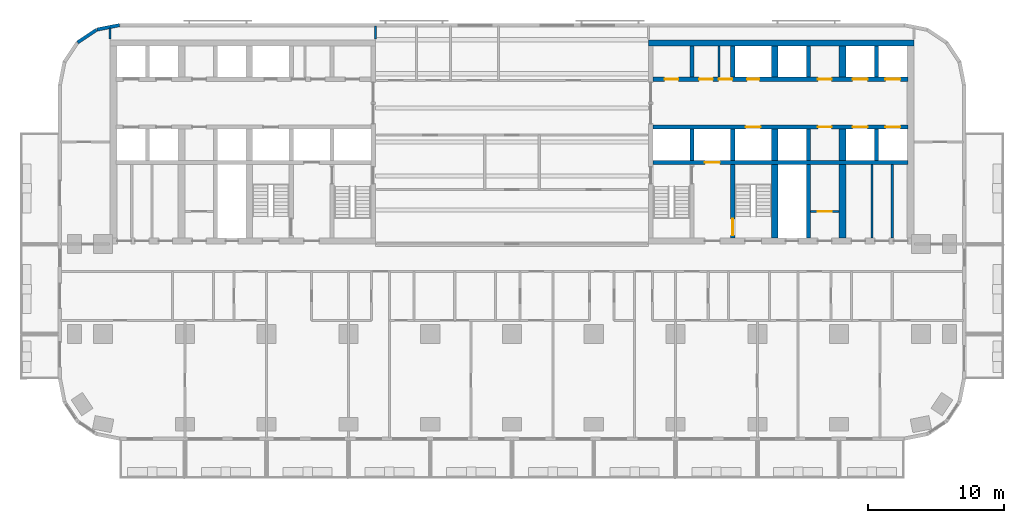
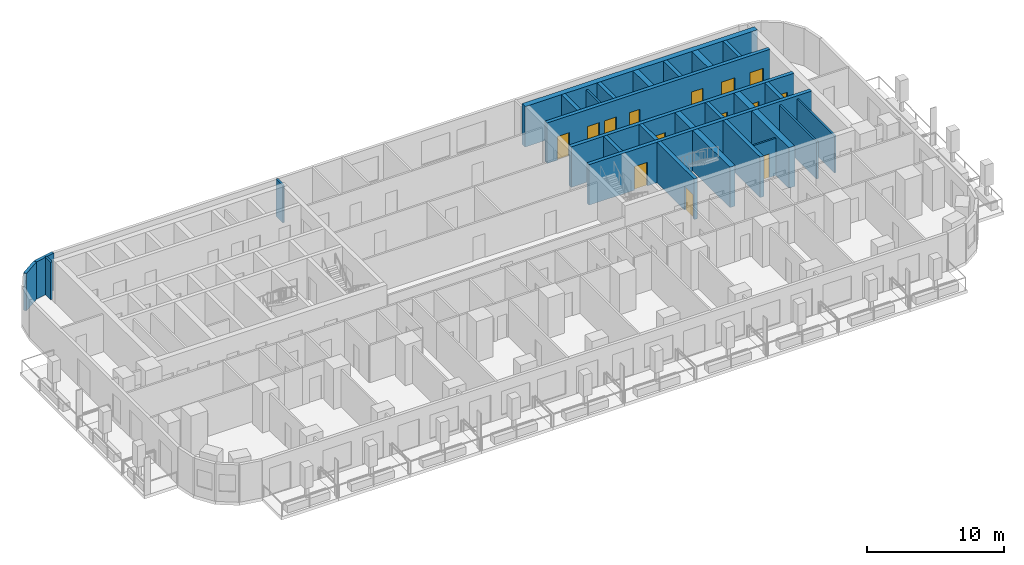
# One storey, part 8 of 15: 28 walls, 14 doors, 14 openings.
"""IFC4 building model written with IfcOpenShell, lengths in metres."""

from ifc_helpers import new_model, si_unit, direction, frame, frame_2d, origin, place, context, subcontext, project, spatial, rectangle, extrude, material, layer, layer_set, type_object, element, fill, save


model = new_model("IFC4")

# Units and contexts
model_context = context("Model", 3, precision=1e-05, world=origin(), true_north=direction((0.0, 1.0)))
body_context = subcontext(model_context, "Body", "Model", "MODEL_VIEW")
ifc_project = project(units=[si_unit("LENGTHUNIT", "METRE"), si_unit("AREAUNIT", "SQUARE_METRE"), si_unit("VOLUMEUNIT", "CUBIC_METRE"), si_unit("PLANEANGLEUNIT", "RADIAN"), si_unit("MASSUNIT", "GRAM", prefix="KILO")], contexts=[model_context])

# Site, building, storey
site_placement = place(None, origin())
site = spatial("IfcSite", under=ifc_project, at=site_placement, CompositionType="ELEMENT")
building_placement = place(site_placement, origin())
building = spatial("IfcBuilding", under=site, at=building_placement, Name="Torana Hotel and Residences", CompositionType="ELEMENT")
storey_placement = place(building_placement, frame((0.0, 0.0, 88.800048828125)))
storey = spatial("IfcBuildingStorey", under=building, at=storey_placement, Name="L22", CompositionType="ELEMENT", Elevation=88.800048828125)

# Wall, openings, doors
ifc_material_1 = material(Name="Concrete C80/95", Category="concrete")
ifc_layer_1 = layer(ifc_material_1, 0.300048828125)
ifc_layer_set_1 = layer_set([ifc_layer_1], Name="CORE WALL 300 C80/95")
wall_type_1 = type_object("IfcWallType", Name="CORE WALL 300 C80/95", PredefinedType="SHEAR", material=ifc_layer_set_1)
wall_1_placement = place(storey_placement, frame((10.35009765625, -2.89990234375, 0.0), z_axis=(0.0, 0.0, 1.0), x_axis=(1.0, 0.0, 0.0)))
wall_1 = element("IfcWall", 1, at=wall_1_placement, inside=storey, type_object=wall_type_1, Name="Core wall E row-N", PredefinedType="SHEAR", context=body_context, shape_type="SweptSolid", body=[
    extrude(rectangle(XDim=18.699951171875, YDim=0.300048828125, at=frame_2d((9.35009765625, 0.0))), origin(), (0.0, 0.0, 1.0), 3.599853515625),
])
opening_1_placement = place(wall_1_placement, frame((14.64990234375, 0.0, 0.0)))
opening_1 = element("IfcOpeningElement", 2, at=opening_1_placement, cuts=wall_1, Name="Opening LD", PredefinedType="OPENING", context=body_context, shape_type="SweptSolid", body=[
    extrude(rectangle(XDim=1.10009765625, YDim=2.10009765625, at=frame_2d((0.550048828125, 1.050048828125))), frame((0.0, 0.159912109375, 0.0), z_axis=(0.0, -1.0, 0.0), x_axis=(1.0, 0.0, 0.0)), (0.0, 0.0, 1.0), 0.320068359375),
])
opening_2_placement = place(wall_1_placement, frame((17.050048828125, 0.0, 0.0)))
opening_2 = element("IfcOpeningElement", 3, at=opening_2_placement, cuts=wall_1, Name="Opening LD", PredefinedType="OPENING", context=body_context, shape_type="SweptSolid", body=[
    extrude(rectangle(XDim=1.10009765625, YDim=2.10009765625, at=frame_2d((0.550048828125, 1.050048828125))), frame((0.0, 0.159912109375, 0.0), z_axis=(0.0, -1.0, 0.0), x_axis=(1.0, 0.0, 0.0)), (0.0, 0.0, 1.0), 0.320068359375),
])
opening_3_placement = place(wall_1_placement, frame((6.89990234375, 0.0, 0.0)))
opening_3 = element("IfcOpeningElement", 4, at=opening_3_placement, cuts=wall_1, Name="Opening L22-29", PredefinedType="OPENING", context=body_context, shape_type="SweptSolid", body=[
    extrude(rectangle(XDim=0.89990234375, YDim=2.10009765625, at=frame_2d((0.449951171875, 1.050048828125))), frame((0.0, 0.159912109375, 0.0), z_axis=(0.0, -1.0, 0.0), x_axis=(1.0, 0.0, 0.0)), (0.0, 0.0, 1.0), 0.320068359375),
])
opening_4_placement = place(wall_1_placement, frame((0.85009765625, 0.0, 0.0)))
opening_4 = element("IfcOpeningElement", 5, at=opening_4_placement, cuts=wall_1, Name="Opening L22-30", PredefinedType="OPENING", context=body_context, shape_type="SweptSolid", body=[
    extrude(rectangle(XDim=1.0, YDim=2.10009765625, at=frame_2d((0.5, 1.050048828125))), frame((0.0, 0.159912109375, 0.0), z_axis=(0.0, -1.0, 0.0), x_axis=(1.0, 0.0, 0.0)), (0.0, 0.0, 1.0), 0.320068359375),
])
opening_5_placement = place(wall_1_placement, frame((3.387451171875, 0.0, 0.0)))
opening_5 = element("IfcOpeningElement", 6, at=opening_5_placement, cuts=wall_1, Name="Opening L22-31", PredefinedType="OPENING", context=body_context, shape_type="SweptSolid", body=[
    extrude(rectangle(XDim=1.0, YDim=2.10009765625, at=frame_2d((0.5, 1.050048828125))), frame((0.0, 0.159912109375, 0.0), z_axis=(0.0, -1.0, 0.0), x_axis=(1.0, 0.0, 0.0)), (0.0, 0.0, 1.0), 0.320068359375),
])
opening_6_placement = place(wall_1_placement, frame((4.8125, 0.0, 0.0)))
opening_6 = element("IfcOpeningElement", 7, at=opening_6_placement, cuts=wall_1, Name="Opening L22-32", PredefinedType="OPENING", context=body_context, shape_type="SweptSolid", body=[
    extrude(rectangle(XDim=1.0, YDim=2.10009765625, at=frame_2d((0.5, 1.050048828125))), frame((0.0, 0.159912109375, 0.0), z_axis=(0.0, -1.0, 0.0), x_axis=(1.0, 0.0, 0.0)), (0.0, 0.0, 1.0), 0.320068359375),
])
opening_7_placement = place(wall_1_placement, frame((12.10009765625, 0.0, 0.0)))
opening_7 = element("IfcOpeningElement", 8, at=opening_7_placement, cuts=wall_1, Name="Opening L22-33", PredefinedType="OPENING", context=body_context, shape_type="SweptSolid", body=[
    extrude(rectangle(XDim=1.0, YDim=2.10009765625, at=frame_2d((0.5, 1.050048828125))), frame((0.0, 0.159912109375, 0.0), z_axis=(0.0, -1.0, 0.0), x_axis=(1.0, 0.0, 0.0)), (0.0, 0.0, 1.0), 0.320068359375),
])
ifc_material_2 = material(Name="Steel S235", Category="steel")
door_type_1 = type_object("IfcDoorType", Name="CORE ROOM FIRE DOOR D14 1000x2100", OperationType="SINGLE_SWING_LEFT", PredefinedType="DOOR", material=ifc_material_2)
door_1_placement = place(opening_4_placement, origin())
door_1 = element("IfcDoor", 9, at=door_1_placement, inside=storey, type_object=door_type_1, Name="N0 door L22", OperationType="SINGLE_SWING_RIGHT", OverallHeight=2.10009765625, OverallWidth=1.0, PredefinedType="DOOR", context=body_context, shape_type="SweptSolid", body=[
    extrude(rectangle(XDim=1.0, YDim=2.10009765625, at=frame_2d((0.5, 1.050048828125))), frame((0.0, 0.02490234375, 0.0), z_axis=(0.0, -1.0, 0.0), x_axis=(1.0, 0.0, 0.0)), (0.0, 0.0, 1.0), 0.050048828125),
])
fill(opening_4, door_1)
door_2_placement = place(opening_5_placement, origin())
door_2 = element("IfcDoor", 10, at=door_2_placement, inside=storey, type_object=door_type_1, Name="N1A door L22", OperationType="SINGLE_SWING_RIGHT", OverallHeight=2.10009765625, OverallWidth=1.0, PredefinedType="DOOR", context=body_context, shape_type="SweptSolid", body=[
    extrude(rectangle(XDim=1.0, YDim=2.10009765625, at=frame_2d((0.5, 1.050048828125))), frame((0.0, 0.02490234375, 0.0), z_axis=(0.0, -1.0, 0.0), x_axis=(1.0, 0.0, 0.0)), (0.0, 0.0, 1.0), 0.050048828125),
])
fill(opening_5, door_2)
door_3_placement = place(opening_6_placement, origin())
door_3 = element("IfcDoor", 11, at=door_3_placement, inside=storey, type_object=door_type_1, Name="N1B door L22", OperationType="SINGLE_SWING_LEFT", OverallHeight=2.10009765625, OverallWidth=1.0, PredefinedType="DOOR", context=body_context, shape_type="SweptSolid", body=[
    extrude(rectangle(XDim=1.0, YDim=2.10009765625, at=frame_2d((0.5, 1.050048828125))), frame((0.0, 0.02490234375, 0.0), z_axis=(0.0, -1.0, 0.0), x_axis=(1.0, 0.0, 0.0)), (0.0, 0.0, 1.0), 0.050048828125),
])
fill(opening_6, door_3)
door_4_placement = place(opening_7_placement, origin())
door_4 = element("IfcDoor", 12, at=door_4_placement, inside=storey, type_object=door_type_1, Name="Free-M3 door L22", OperationType="SINGLE_SWING_RIGHT", OverallHeight=2.10009765625, OverallWidth=1.0, PredefinedType="DOOR", context=body_context, shape_type="SweptSolid", body=[
    extrude(rectangle(XDim=1.0, YDim=2.10009765625, at=frame_2d((0.5, 1.050048828125))), frame((0.0, 0.02490234375, 0.0), z_axis=(0.0, -1.0, 0.0), x_axis=(1.0, 0.0, 0.0)), (0.0, 0.0, 1.0), 0.050048828125),
])
fill(opening_7, door_4)
ifc_material_3 = material(Name="Stainless steel 316", Category="steel")
door_type_2 = type_object("IfcDoorType", Name="LIFT LANDING DOOR LD 1100x2100", OperationType="DOUBLE_DOOR_SLIDING", PredefinedType="USERDEFINED", material=ifc_material_3)
door_5_placement = place(opening_1_placement, origin())
door_5 = element("IfcDoor", 13, at=door_5_placement, inside=storey, type_object=door_type_2, Name="Lift landing door L5 L22", ObjectType="LIFT LANDING DOOR", OperationType="DOUBLE_DOOR_SLIDING", OverallHeight=2.10009765625, OverallWidth=1.10009765625, PredefinedType="USERDEFINED", context=body_context, shape_type="SweptSolid", body=[
    extrude(rectangle(XDim=1.10009765625, YDim=2.10009765625, at=frame_2d((0.550048828125, 1.050048828125))), frame((0.0, 0.02490234375, 0.0), z_axis=(0.0, -1.0, 0.0), x_axis=(1.0, 0.0, 0.0)), (0.0, 0.0, 1.0), 0.050048828125),
])
fill(opening_1, door_5)
door_6_placement = place(opening_2_placement, origin())
door_6 = element("IfcDoor", 14, at=door_6_placement, inside=storey, type_object=door_type_2, Name="Lift landing door L6 L22", ObjectType="LIFT LANDING DOOR", OperationType="DOUBLE_DOOR_SLIDING", OverallHeight=2.10009765625, OverallWidth=1.10009765625, PredefinedType="USERDEFINED", context=body_context, shape_type="SweptSolid", body=[
    extrude(rectangle(XDim=1.10009765625, YDim=2.10009765625, at=frame_2d((0.550048828125, 1.050048828125))), frame((0.0, 0.02490234375, 0.0), z_axis=(0.0, -1.0, 0.0), x_axis=(1.0, 0.0, 0.0)), (0.0, 0.0, 1.0), 0.050048828125),
])
fill(opening_2, door_6)
ifc_material_4 = material(Name="Steel S235", Category="steel")
door_type_3 = type_object("IfcDoorType", Name="RISER ACCESS DOOR D5 900x2100", OperationType="SINGLE_SWING_LEFT", PredefinedType="DOOR", material=ifc_material_4)
door_7_placement = place(opening_3_placement, origin())
door_7 = element("IfcDoor", 15, at=door_7_placement, inside=storey, type_object=door_type_3, Name="N2 door L22", OperationType="SINGLE_SWING_RIGHT", OverallHeight=2.10009765625, OverallWidth=0.89990234375, PredefinedType="DOOR", context=body_context, shape_type="SweptSolid", body=[
    extrude(rectangle(XDim=0.89990234375, YDim=2.10009765625, at=frame_2d((0.449951171875, 1.050048828125))), frame((0.0, 0.02490234375, 0.0), z_axis=(0.0, -1.0, 0.0), x_axis=(1.0, 0.0, 0.0)), (0.0, 0.0, 1.0), 0.050048828125),
])
fill(opening_3, door_7)

wall_2_placement = place(storey_placement, frame((10.35009765625, -6.39990234375, 0.0), z_axis=(0.0, 0.0, 1.0), x_axis=(1.0, 0.0, 0.0)))
wall_2 = element("IfcWall", 16, at=wall_2_placement, inside=storey, type_object=wall_type_1, Name="Core wall E row-S", PredefinedType="SHEAR", context=body_context, shape_type="SweptSolid", body=[
    extrude(rectangle(XDim=18.699951171875, YDim=0.300048828125, at=frame_2d((9.35009765625, 0.0))), origin(), (0.0, 0.0, 1.0), 3.599853515625),
])
opening_8_placement = place(wall_2_placement, frame((14.64990234375, 0.0, 0.0)))
opening_8 = element("IfcOpeningElement", 17, at=opening_8_placement, cuts=wall_2, Name="Opening LD", PredefinedType="OPENING", context=body_context, shape_type="SweptSolid", body=[
    extrude(rectangle(XDim=1.10009765625, YDim=2.10009765625, at=frame_2d((0.550048828125, 1.050048828125))), frame((0.0, 0.159912109375, 0.0), z_axis=(0.0, -1.0, 0.0), x_axis=(1.0, 0.0, 0.0)), (0.0, 0.0, 1.0), 0.320068359375),
])
opening_9_placement = place(wall_2_placement, frame((17.050048828125, 0.0, 0.0)))
opening_9 = element("IfcOpeningElement", 18, at=opening_9_placement, cuts=wall_2, Name="Opening LD", PredefinedType="OPENING", context=body_context, shape_type="SweptSolid", body=[
    extrude(rectangle(XDim=1.10009765625, YDim=2.10009765625, at=frame_2d((0.550048828125, 1.050048828125))), frame((0.0, 0.159912109375, 0.0), z_axis=(0.0, -1.0, 0.0), x_axis=(1.0, 0.0, 0.0)), (0.0, 0.0, 1.0), 0.320068359375),
])
opening_10_placement = place(wall_2_placement, frame((6.800048828125, 0.0, 0.0)))
opening_10 = element("IfcOpeningElement", 19, at=opening_10_placement, cuts=wall_2, Name="Opening LD", PredefinedType="OPENING", context=body_context, shape_type="SweptSolid", body=[
    extrude(rectangle(XDim=1.10009765625, YDim=2.10009765625, at=frame_2d((0.550048828125, 1.050048828125))), frame((0.0, 0.159912109375, 0.0), z_axis=(0.0, -1.0, 0.0), x_axis=(1.0, 0.0, 0.0)), (0.0, 0.0, 1.0), 0.320068359375),
])
opening_11_placement = place(wall_2_placement, frame((12.10009765625, 0.0, 0.0)))
opening_11 = element("IfcOpeningElement", 20, at=opening_11_placement, cuts=wall_2, Name="Opening L22-34", PredefinedType="OPENING", context=body_context, shape_type="SweptSolid", body=[
    extrude(rectangle(XDim=1.0, YDim=2.10009765625, at=frame_2d((0.5, 1.050048828125))), frame((0.0, 0.159912109375, 0.0), z_axis=(0.0, -1.0, 0.0), x_axis=(1.0, 0.0, 0.0)), (0.0, 0.0, 1.0), 0.320068359375),
])
door_8_placement = place(opening_11_placement, frame((0.5, 0.0, 0.0), z_axis=(0.0, 0.0, 1.0), x_axis=(-1.0, 0.0, 0.0)))
door_8 = element("IfcDoor", 21, at=door_8_placement, inside=storey, type_object=door_type_1, Name="Free-M4 door L22", OperationType="SINGLE_SWING_LEFT", OverallHeight=2.10009765625, OverallWidth=1.0, PredefinedType="DOOR", context=body_context, shape_type="SweptSolid", body=[
    extrude(rectangle(XDim=1.0, YDim=2.10009765625, at=frame_2d((0.0, 1.050048828125))), frame((0.0, -0.02490234375, 0.0), z_axis=(0.0, 1.0, 0.0), x_axis=(-1.0, 0.0, 0.0)), (0.0, 0.0, 1.0), 0.050048828125),
])
fill(opening_11, door_8)
door_9_placement = place(opening_8_placement, origin())
door_9 = element("IfcDoor", 22, at=door_9_placement, inside=storey, type_object=door_type_2, Name="Lift landing door L7 L22", ObjectType="LIFT LANDING DOOR", OperationType="DOUBLE_DOOR_SLIDING", OverallHeight=2.10009765625, OverallWidth=1.10009765625, PredefinedType="USERDEFINED", context=body_context, shape_type="SweptSolid", body=[
    extrude(rectangle(XDim=1.10009765625, YDim=2.10009765625, at=frame_2d((0.550048828125, 1.050048828125))), frame((0.0, 0.02490234375, 0.0), z_axis=(0.0, -1.0, 0.0), x_axis=(1.0, 0.0, 0.0)), (0.0, 0.0, 1.0), 0.050048828125),
])
fill(opening_8, door_9)
door_10_placement = place(opening_9_placement, origin())
door_10 = element("IfcDoor", 23, at=door_10_placement, inside=storey, type_object=door_type_2, Name="Lift landing door L8 L22", ObjectType="LIFT LANDING DOOR", OperationType="DOUBLE_DOOR_SLIDING", OverallHeight=2.10009765625, OverallWidth=1.10009765625, PredefinedType="USERDEFINED", context=body_context, shape_type="SweptSolid", body=[
    extrude(rectangle(XDim=1.10009765625, YDim=2.10009765625, at=frame_2d((0.550048828125, 1.050048828125))), frame((0.0, 0.02490234375, 0.0), z_axis=(0.0, -1.0, 0.0), x_axis=(1.0, 0.0, 0.0)), (0.0, 0.0, 1.0), 0.050048828125),
])
fill(opening_9, door_10)
door_11_placement = place(opening_10_placement, origin())
door_11 = element("IfcDoor", 24, at=door_11_placement, inside=storey, type_object=door_type_2, Name="Lift landing door SV2 L22", ObjectType="LIFT LANDING DOOR", OperationType="DOUBLE_DOOR_SLIDING", OverallHeight=2.10009765625, OverallWidth=1.10009765625, PredefinedType="USERDEFINED", context=body_context, shape_type="SweptSolid", body=[
    extrude(rectangle(XDim=1.10009765625, YDim=2.10009765625, at=frame_2d((0.550048828125, 1.050048828125))), frame((0.0, 0.02490234375, 0.0), z_axis=(0.0, -1.0, 0.0), x_axis=(1.0, 0.0, 0.0)), (0.0, 0.0, 1.0), 0.050048828125),
])
fill(opening_10, door_11)

# Wall, opening, door
wall_3_placement = place(storey_placement, frame((10.35009765625, -9.0, 0.0), z_axis=(0.0, 0.0, 1.0), x_axis=(1.0, 0.0, 0.0)))
wall_3 = element("IfcWall", 25, at=wall_3_placement, inside=storey, type_object=wall_type_1, Name="Core wall E band", PredefinedType="SHEAR", context=body_context, shape_type="SweptSolid", body=[
    extrude(rectangle(XDim=18.699951171875, YDim=0.300048828125, at=frame_2d((9.35009765625, 0.0))), origin(), (0.0, 0.0, 1.0), 3.599853515625),
])
opening_12_placement = place(wall_3_placement, frame((3.800048828125, 0.0, 0.0)))
opening_12 = element("IfcOpeningElement", 26, at=opening_12_placement, cuts=wall_3, Name="Opening LD", PredefinedType="OPENING", context=body_context, shape_type="SweptSolid", body=[
    extrude(rectangle(XDim=1.10009765625, YDim=2.10009765625, at=frame_2d((0.550048828125, 1.050048828125))), frame((0.0, 0.159912109375, 0.0), z_axis=(0.0, -1.0, 0.0), x_axis=(1.0, 0.0, 0.0)), (0.0, 0.0, 1.0), 0.320068359375),
])
door_12_placement = place(opening_12_placement, origin())
door_12 = element("IfcDoor", 27, at=door_12_placement, inside=storey, type_object=door_type_2, Name="Lift landing door FF2 L22", ObjectType="LIFT LANDING DOOR", OperationType="DOUBLE_DOOR_SLIDING", OverallHeight=2.10009765625, OverallWidth=1.10009765625, PredefinedType="USERDEFINED", context=body_context, shape_type="SweptSolid", body=[
    extrude(rectangle(XDim=1.10009765625, YDim=2.10009765625, at=frame_2d((0.550048828125, 1.050048828125))), frame((0.0, 0.02490234375, 0.0), z_axis=(0.0, -1.0, 0.0), x_axis=(1.0, 0.0, 0.0)), (0.0, 0.0, 1.0), 0.050048828125),
])
fill(opening_12, door_12)

# Walls
for number, where, z_axis, x_axis, name in (
    (28, (13.199951171875, -2.75, 0.0), (0.0, 0.0, 1.0), (0.0, 1.0, 0.0), "Core wall E x3.05-N"),
    (29, (13.199951171875, -8.85009765625, 0.0), (0.0, 0.0, 1.0), (0.0, 1.0, 0.0), "Core wall E x3.05-S"),
    (30, (16.199951171875, -2.75, 0.0), (0.0, 0.0, 1.0), (0.0, 1.0, 0.0), "Core wall E x6.05-N"),
    (31, (16.199951171875, -8.85009765625, 0.0), (0.0, 0.0, 1.0), (0.0, 1.0, 0.0), "Core wall E x6.05-S"),
):
    element("IfcWall", number, at=place(storey_placement, frame(where, z_axis=z_axis, x_axis=x_axis)), inside=storey, type_object=wall_type_1, Name=name, PredefinedType="SHEAR", context=body_context, shape_type="SweptSolid", body=[
        extrude(rectangle(XDim=2.300048828125, YDim=0.300048828125, at=frame_2d((1.14990234375, 0.0))), origin(), (0.0, 0.0, 1.0), 3.599853515625),
    ])

# Wall, opening, door
wall_4_placement = place(storey_placement, frame((16.199951171875, -14.550048828125, 0.0), z_axis=(0.0, 0.0, 1.0), x_axis=(0.0, 1.0, 0.0)))
wall_4 = element("IfcWall", 32, at=wall_4_placement, inside=storey, type_object=wall_type_1, Name="Core wall E x6.05-band", PredefinedType="SHEAR", context=body_context, shape_type="SweptSolid", body=[
    extrude(rectangle(XDim=5.400146484375, YDim=0.300048828125, at=frame_2d((2.7001953125, 0.0))), origin(), (0.0, 0.0, 1.0), 3.599853515625),
])
opening_13_placement = place(wall_4_placement, frame((0.199951171875, 0.0, 0.0)))
opening_13 = element("IfcOpeningElement", 33, at=opening_13_placement, cuts=wall_4, Name="Opening L22-36", PredefinedType="OPENING", context=body_context, shape_type="SweptSolid", body=[
    extrude(rectangle(XDim=1.199951171875, YDim=2.10009765625, at=frame_2d((0.60009765625, 1.050048828125))), frame((0.0, 0.159912109375, 0.0), z_axis=(0.0, -1.0, 0.0), x_axis=(1.0, 0.0, 0.0)), (0.0, 0.0, 1.0), 0.320068359375),
])
ifc_material_5 = material(Name="Steel S235", Category="steel")
door_type_4 = type_object("IfcDoorType", Name="STAIR FIRE DOOR D3 1200x2100", OperationType="SINGLE_SWING_LEFT", PredefinedType="DOOR", material=ifc_material_5)
door_13_placement = place(opening_13_placement, frame((0.60009765625, 0.0, 0.0), z_axis=(0.0, 0.0, 1.0), x_axis=(-1.0, 0.0, 0.0)))
door_13 = element("IfcDoor", 34, at=door_13_placement, inside=storey, type_object=door_type_4, Name="Stair-B-lobby door L22", OperationType="SINGLE_SWING_LEFT", OverallHeight=2.10009765625, OverallWidth=1.199951171875, PredefinedType="DOOR", context=body_context, shape_type="SweptSolid", body=[
    extrude(rectangle(XDim=1.199951171875, YDim=2.10009765625, at=frame_2d((0.0, 1.050048828125))), frame((0.0, -0.02490234375, 0.0), z_axis=(0.0, 1.0, 0.0), x_axis=(-1.0, 0.0, 0.0)), (0.0, 0.0, 1.0), 0.050048828125),
])
fill(opening_13, door_13)

# Walls
for number, where, z_axis, x_axis, name in (
    (35, (21.75, -2.75, 0.0), (0.0, 0.0, 1.0), (0.0, 1.0, 0.0), "Core wall E mm-N"),
    (36, (21.75, -8.85009765625, 0.0), (0.0, 0.0, 1.0), (0.0, 1.0, 0.0), "Core wall E mm-S"),
):
    element("IfcWall", number, at=place(storey_placement, frame(where, z_axis=z_axis, x_axis=x_axis)), inside=storey, type_object=wall_type_1, Name=name, PredefinedType="SHEAR", context=body_context, shape_type="SweptSolid", body=[
        extrude(rectangle(XDim=2.300048828125, YDim=0.300048828125, at=frame_2d((1.14990234375, 0.0))), origin(), (0.0, 0.0, 1.0), 3.599853515625),
    ])
wall_5_placement = place(storey_placement, frame((21.75, -14.550048828125, 0.0), z_axis=(0.0, 0.0, 1.0), x_axis=(0.0, 1.0, 0.0)))
element("IfcWall", 37, at=wall_5_placement, inside=storey, type_object=wall_type_1, Name="Core wall E mm-band", PredefinedType="SHEAR", context=body_context, shape_type="SweptSolid", body=[
    extrude(rectangle(XDim=5.400146484375, YDim=0.300048828125, at=frame_2d((2.7001953125, 0.0))), origin(), (0.0, 0.0, 1.0), 3.599853515625),
])
for number, where, z_axis, x_axis, name in (
    (38, (26.75, -2.75, 0.0), (0.0, 0.0, 1.0), (0.0, 1.0, 0.0), "Core wall E ll-N"),
    (39, (26.75, -8.85009765625, 0.0), (0.0, 0.0, 1.0), (0.0, 1.0, 0.0), "Core wall E ll-S"),
):
    element("IfcWall", number, at=place(storey_placement, frame(where, z_axis=z_axis, x_axis=x_axis)), inside=storey, type_object=wall_type_1, Name=name, PredefinedType="SHEAR", context=body_context, shape_type="SweptSolid", body=[
        extrude(rectangle(XDim=2.300048828125, YDim=0.300048828125, at=frame_2d((1.14990234375, 0.0))), origin(), (0.0, 0.0, 1.0), 3.599853515625),
    ])
ifc_material_6 = material(Name="Concrete C80/95", Category="concrete")
ifc_layer_2 = layer(ifc_material_6, 0.449951171875)
ifc_layer_set_2 = layer_set([ifc_layer_2], Name="CORE WALL 450 C80/95")
wall_type_2 = type_object("IfcWallType", Name="CORE WALL 450 C80/95", PredefinedType="SHEAR", material=ifc_layer_set_2)
wall_6_placement = place(storey_placement, frame((10.0, -0.22509765625, 0.0), z_axis=(0.0, 0.0, 1.0), x_axis=(1.0, 0.0, 0.0)))
element("IfcWall", 40, at=wall_6_placement, inside=storey, type_object=wall_type_2, Name="Core wall E rear", PredefinedType="SHEAR", context=body_context, shape_type="SweptSolid", body=[
    extrude(rectangle(XDim=19.5, YDim=0.449951171875, at=frame_2d((9.75, 0.0))), origin(), (0.0, 0.0, 1.0), 3.599853515625),
])
for number, where, z_axis, x_axis, name in (
    (41, (19.27490234375, -2.75, 0.0), (0.0, 0.0, 1.0), (0.0, 1.0, 0.0), "Core wall E hm-N"),
    (42, (19.27490234375, -8.85009765625, 0.0), (0.0, 0.0, 1.0), (0.0, 1.0, 0.0), "Core wall E hm-S"),
):
    element("IfcWall", number, at=place(storey_placement, frame(where, z_axis=z_axis, x_axis=x_axis)), inside=storey, type_object=wall_type_2, Name=name, PredefinedType="SHEAR", context=body_context, shape_type="SweptSolid", body=[
        extrude(rectangle(XDim=2.300048828125, YDim=0.449951171875, at=frame_2d((1.14990234375, 0.0))), origin(), (0.0, 0.0, 1.0), 3.599853515625),
    ])
wall_7_placement = place(storey_placement, frame((19.27490234375, -14.550048828125, 0.0), z_axis=(0.0, 0.0, 1.0), x_axis=(0.0, 1.0, 0.0)))
element("IfcWall", 43, at=wall_7_placement, inside=storey, type_object=wall_type_2, Name="Core wall E hm-band", PredefinedType="SHEAR", context=body_context, shape_type="SweptSolid", body=[
    extrude(rectangle(XDim=5.400146484375, YDim=0.449951171875, at=frame_2d((2.7001953125, 0.0))), origin(), (0.0, 0.0, 1.0), 3.599853515625),
])
ifc_material_7 = material(Name="Concrete C80/95", Category="concrete")
ifc_layer_3 = layer(ifc_material_7, 0.5)
ifc_layer_set_3 = layer_set([ifc_layer_3], Name="CORE WALL 500 C80/95")
wall_type_3 = type_object("IfcWallType", Name="CORE WALL 500 C80/95", PredefinedType="SHEAR", material=ifc_layer_set_3)
for number, where, z_axis, x_axis, name in (
    (44, (24.25, -2.75, 0.0), (0.0, 0.0, 1.0), (0.0, 1.0, 0.0), "Core wall E ml-N"),
    (45, (24.25, -8.85009765625, 0.0), (0.0, 0.0, 1.0), (0.0, 1.0, 0.0), "Core wall E ml-S"),
):
    element("IfcWall", number, at=place(storey_placement, frame(where, z_axis=z_axis, x_axis=x_axis)), inside=storey, type_object=wall_type_3, Name=name, PredefinedType="SHEAR", context=body_context, shape_type="SweptSolid", body=[
        extrude(rectangle(XDim=2.300048828125, YDim=0.5, at=frame_2d((1.14990234375, 0.0))), origin(), (0.0, 0.0, 1.0), 3.599853515625),
    ])
wall_8_placement = place(storey_placement, frame((24.25, -14.550048828125, 0.0), z_axis=(0.0, 0.0, 1.0), x_axis=(0.0, 1.0, 0.0)))
element("IfcWall", 46, at=wall_8_placement, inside=storey, type_object=wall_type_3, Name="Core wall E ml-band", PredefinedType="SHEAR", context=body_context, shape_type="SweptSolid", body=[
    extrude(rectangle(XDim=5.400146484375, YDim=0.5, at=frame_2d((2.7001953125, 0.0))), origin(), (0.0, 0.0, 1.0), 3.599853515625),
])
ifc_material_8 = material(Name="Black aluminium composite panel", Category="aluminium")
ifc_layer_4 = layer(ifc_material_8, 0.00390625, Name="Cladding", Category="cladding")
ifc_material_9 = material(Name="Ventilated air cavity")
ifc_layer_5 = layer(ifc_material_9, 0.0400390625, Name="Ventilated cavity", Category="cavity")
ifc_material_10 = material(Name="Mineral wool insulation")
ifc_layer_6 = layer(ifc_material_10, 0.090087890625, Name="Insulation", Category="insulation")
ifc_material_11 = material(Name="Steel S280GD", Category="steel")
ifc_layer_7 = layer(ifc_material_11, 0.092041015625, Name="Steel stud frame", Category="structure")
ifc_material_12 = material(Name="Fire rated plasterboard")
ifc_layer_8 = layer(ifc_material_12, 0.011962890625, Name="Inner board", Category="finish")
ifc_layer_9 = layer(ifc_material_12, 0.011962890625, Name="Second board", Category="finish")
ifc_layer_set_4 = layer_set([ifc_layer_4, ifc_layer_5, ifc_layer_6, ifc_layer_7, ifc_layer_8, ifc_layer_9], Name="EW1 EXTERNAL WALL BLACK METAL CLAD 250")
wall_type_4 = type_object("IfcWallType", Name="EW1 EXTERNAL WALL BLACK METAL CLAD 250", PredefinedType="SOLIDWALL", material=ifc_layer_set_4)
wall_9_placement = place(storey_placement, frame((-28.7998046875, 1.072509765625, 0.0), z_axis=(0.0, 0.0, 1.0), x_axis=(-0.980803419081, -0.194999110559, 0.0)))
element("IfcWall", 47, at=wall_9_placement, inside=storey, type_object=wall_type_4, Name="External wall L22 e0.5", PredefinedType="SOLIDWALL", context=body_context, shape_type="SweptSolid", body=[
    extrude(rectangle(XDim=1.681396484375, YDim=0.25, at=frame_2d((0.8408203125, 0.0))), origin(), (0.0, 0.0, 1.0), 3.320068359375),
])
wall_10_placement = place(storey_placement, frame((-30.493896484375, 0.725830078125, 0.0), z_axis=(0.0, 0.0, 1.0), x_axis=(-0.831482937015, -0.55555029066, 0.0)))
element("IfcWall", 48, at=wall_10_placement, inside=storey, type_object=wall_type_4, Name="External wall L22 e0.6", PredefinedType="SOLIDWALL", context=body_context, shape_type="SweptSolid", body=[
    extrude(rectangle(XDim=1.65625, YDim=0.25, at=frame_2d((0.828125, 0.0))), origin(), (0.0, 0.0, 1.0), 3.320068359375),
])
ifc_material_13 = material(Name="Gypsum plaster")
ifc_layer_10 = layer(ifc_material_13, 0.014892578125, Name="Plaster", Category="finish")
ifc_material_14 = material(Name="Concrete blockwork", Category="masonry")
ifc_layer_11 = layer(ifc_material_14, 0.1201171875, Name="Blockwork", Category="structure")
ifc_layer_12 = layer(ifc_material_13, 0.014892578125, Name="Plaster", Category="finish")
ifc_layer_set_5 = layer_set([ifc_layer_10, ifc_layer_11, ifc_layer_12], Name="FIRE PARTITION 150 BLOCKWORK")
wall_type_5 = type_object("IfcWallType", Name="FIRE PARTITION 150 BLOCKWORK", PredefinedType="PARTITIONING", material=ifc_layer_set_5)
wall_11_placement = place(storey_placement, frame((15.199951171875, -2.75, 0.0), z_axis=(0.0, 0.0, 1.0), x_axis=(0.0, 1.0, 0.0)))
element("IfcWall", 49, at=wall_11_placement, inside=storey, type_object=wall_type_5, Name="Core partition L22", PredefinedType="PARTITIONING", context=body_context, shape_type="SweptSolid", body=[
    extrude(rectangle(XDim=2.300048828125, YDim=0.14990234375, at=frame_2d((1.14990234375, 0.0))), origin(), (0.0, 0.0, 1.0), 3.300048828125),
])

# Wall, opening, door
wall_12_placement = place(storey_placement, frame((21.89990234375, -12.60009765625, 0.0), z_axis=(0.0, 0.0, 1.0), x_axis=(1.0, 0.0, 0.0)))
wall_12 = element("IfcWall", 50, at=wall_12_placement, inside=storey, type_object=wall_type_5, Name="Core partition L22", PredefinedType="PARTITIONING", context=body_context, shape_type="SweptSolid", body=[
    extrude(rectangle(XDim=2.10009765625, YDim=0.14990234375, at=frame_2d((1.050048828125, 0.0))), origin(), (0.0, 0.0, 1.0), 3.300048828125),
])
opening_14_placement = place(wall_12_placement, frame((0.550048828125, 0.0, 0.0)))
opening_14 = element("IfcOpeningElement", 51, at=opening_14_placement, cuts=wall_12, Name="Opening L22-38", PredefinedType="OPENING", context=body_context, shape_type="SweptSolid", body=[
    extrude(rectangle(XDim=1.0, YDim=2.10009765625, at=frame_2d((0.5, 1.050048828125))), frame((0.0, 0.0849609375, 0.0), z_axis=(0.0, -1.0, 0.0), x_axis=(1.0, 0.0, 0.0)), (0.0, 0.0, 1.0), 0.169921875),
])
door_14_placement = place(opening_14_placement, origin())
door_14 = element("IfcDoor", 52, at=door_14_placement, inside=storey, type_object=door_type_1, Name="Plant room door L22", OperationType="SINGLE_SWING_RIGHT", OverallHeight=2.10009765625, OverallWidth=1.0, PredefinedType="DOOR", context=body_context, shape_type="SweptSolid", body=[
    extrude(rectangle(XDim=1.0, YDim=2.10009765625, at=frame_2d((0.5, 1.050048828125))), frame((0.0, 0.02490234375, 0.0), z_axis=(0.0, -1.0, 0.0), x_axis=(1.0, 0.0, 0.0)), (0.0, 0.0, 1.0), 0.050048828125),
])
fill(opening_14, door_14)

# Walls
for number, where, z_axis, x_axis, name in (
    (53, (26.39990234375, -14.550048828125, 0.0), (0.0, 0.0, 1.0), (0.0, 1.0, 0.0), "Core partition L22"),
    (54, (27.89990234375, -14.550048828125, 0.0), (0.0, 0.0, 1.0), (0.0, 1.0, 0.0), "Core partition L22"),
):
    element("IfcWall", number, at=place(storey_placement, frame(where, z_axis=z_axis, x_axis=x_axis)), inside=storey, type_object=wall_type_5, Name=name, PredefinedType="PARTITIONING", context=body_context, shape_type="SweptSolid", body=[
        extrude(rectangle(XDim=5.400146484375, YDim=0.14990234375, at=frame_2d((2.7001953125, 0.0))), origin(), (0.0, 0.0, 1.0), 3.300048828125),
    ])
ifc_material_15 = material(Name="Gypsum plasterboard")
ifc_layer_13 = layer(ifc_material_15, 0.012451171875, Name="Plasterboard", Category="finish")
ifc_layer_14 = layer(ifc_material_15, 0.012451171875, Name="Plasterboard", Category="finish")
ifc_layer_15 = layer(ifc_material_11, 0.10009765625, Name="Steel studs with mineral wool", Category="insulation")
ifc_layer_16 = layer(ifc_material_15, 0.012451171875, Name="Plasterboard", Category="finish")
ifc_layer_17 = layer(ifc_material_15, 0.012451171875, Name="Plasterboard", Category="finish")
ifc_layer_set_6 = layer_set([ifc_layer_13, ifc_layer_14, ifc_layer_15, ifc_layer_16, ifc_layer_17], Name="PARTITION 150 PLASTERBOARD")
wall_type_6 = type_object("IfcWallType", Name="PARTITION 150 PLASTERBOARD", PredefinedType="PARTITIONING", material=ifc_layer_set_6)
wall_13_placement = place(storey_placement, frame((-29.5, 0.050048828125, 0.0), z_axis=(0.0, 0.0, 1.0), x_axis=(0.0, 1.0, 0.0)))
element("IfcWall", 55, at=wall_13_placement, inside=storey, type_object=wall_type_6, Name="Partition L22", PredefinedType="PARTITIONING", context=body_context, shape_type="SweptSolid", body=[
    extrude(rectangle(XDim=0.8271484375, YDim=0.14990234375, at=frame_2d((0.41357421875, 0.0))), origin(), (0.0, 0.0, 1.0), 3.320068359375),
])
ifc_material_16 = material(Name="Ceramic tile on adhesive")
ifc_layer_18 = layer(ifc_material_16, 0.010009765625, Name="Wall tile", Category="finish")
ifc_material_17 = material(Name="Cement render")
ifc_layer_19 = layer(ifc_material_17, 0.010009765625, Name="Render", Category="finish")
ifc_layer_20 = layer(ifc_material_14, 0.110107421875, Name="Blockwork", Category="structure")
ifc_layer_21 = layer(ifc_material_17, 0.010009765625, Name="Render", Category="finish")
ifc_layer_22 = layer(ifc_material_16, 0.010009765625, Name="Wall tile", Category="finish")
ifc_layer_set_7 = layer_set([ifc_layer_18, ifc_layer_19, ifc_layer_20, ifc_layer_21, ifc_layer_22], Name="WC PARTITION 150")
wall_type_7 = type_object("IfcWallType", Name="WC PARTITION 150", PredefinedType="PLUMBINGWALL", material=ifc_layer_set_7)
wall_14_placement = place(storey_placement, frame((-10.0, 0.050048828125, 0.0), z_axis=(0.0, 0.0, 1.0), x_axis=(0.0, 1.0, 0.0)))
element("IfcWall", 56, at=wall_14_placement, inside=storey, type_object=wall_type_7, Name="Partition L22", PredefinedType="PLUMBINGWALL", context=body_context, shape_type="SweptSolid", body=[
    extrude(rectangle(XDim=0.969970703125, YDim=0.14990234375, at=frame_2d((0.48486328125, 0.0))), origin(), (0.0, 0.0, 1.0), 3.320068359375),
])

save(model, "model.ifc")
